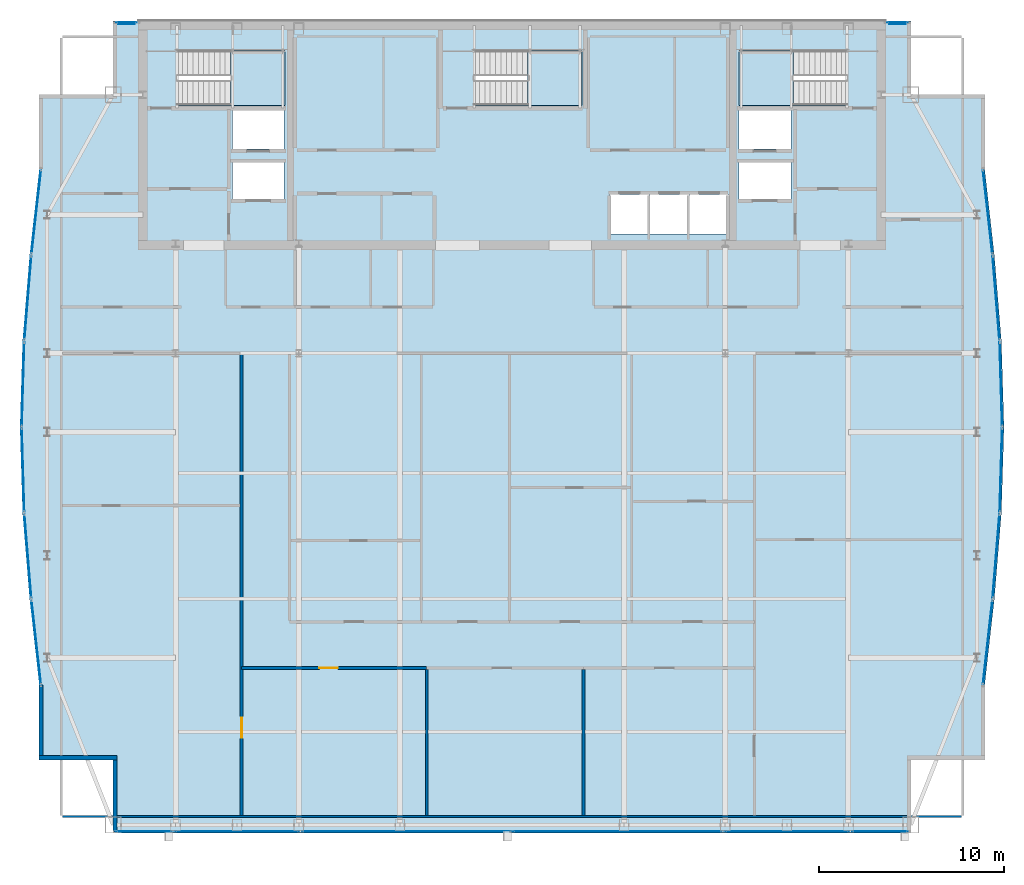
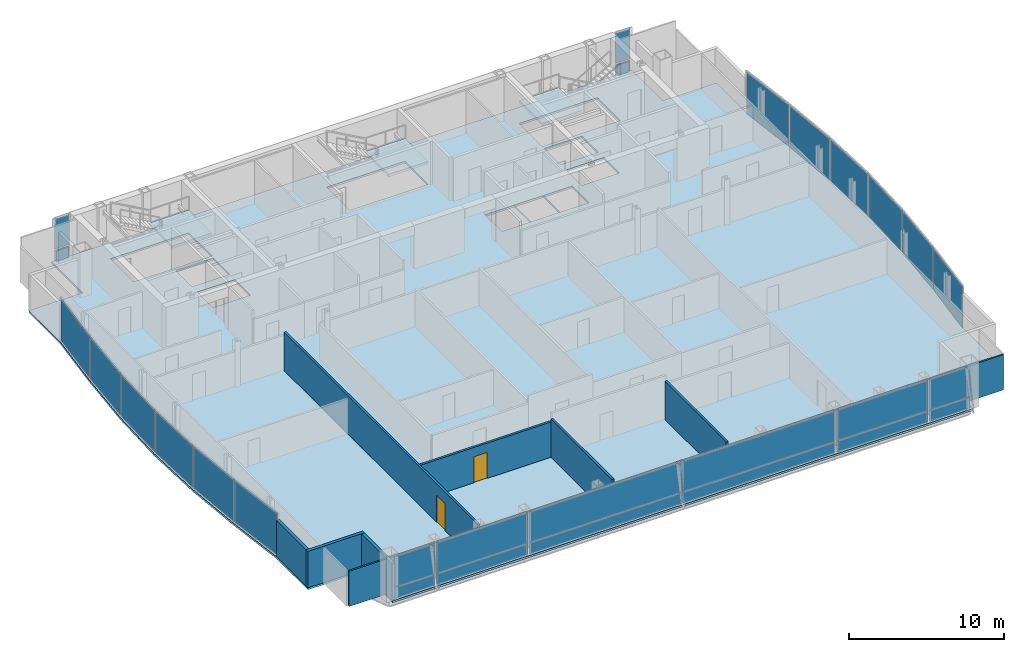
# One storey, part 19 of 25: 30 plates, 8 walls, 4 slabs, 2 doors, 2 openings, 22 elements without a shape of their own.
"""IFC4 building model written with IfcOpenShell, lengths in metres."""

import ifcopenshell
import ifcopenshell.guid

model = None  # the IFC model being written
_history = None  # IfcOwnerHistory: only IFC2X3 demands one
_inside = {}  # id of a spatial element -> (the spatial element, [elements in it])
_under = {}  # id of a project, library or spatial element -> (it, [spatial elements below it])
_declared = {}  # id of a project -> (the project, [libraries it declares])
_typed = {}  # id of a type object -> (the type object, [elements of that type])
_made_of = {}  # id of a material, layer set ... -> (it, [elements and type objects made of it])


def new_model(schema):
    """Start an empty IFC model of exactly this schema.

    Asked for "IFC4X3", IfcOpenShell would pick the latest addendum, in which some entities
    have other attributes; the version numbers below select the first issue.
    IFC2X3 requires an IfcOwnerHistory on every rooted entity: one is made here for all.
    """
    global model, _history
    if schema == "IFC4X3":
        model = ifcopenshell.file(schema_version=(4, 3, 0, 0))
    else:
        model = ifcopenshell.file(schema=schema)
    _inside.clear()
    _under.clear()
    _declared.clear()
    _typed.clear()
    _made_of.clear()
    _history = None
    if model.schema == "IFC2X3":
        org = make("IfcOrganization", Name="unknown")
        user = make(
            "IfcPersonAndOrganization",
            ThePerson=make("IfcPerson", FamilyName="unknown"),
            TheOrganization=org,
        )
        app = make(
            "IfcApplication",
            ApplicationDeveloper=org,
            Version="unknown",
            ApplicationFullName="unknown",
            ApplicationIdentifier="unknown",
        )
        _history = make(
            "IfcOwnerHistory",
            OwningUser=user,
            OwningApplication=app,
            ChangeAction="ADDED",
            CreationDate=0,
        )
    return model


def make(cls, **values):
    """One entity of the class cls with the attributes given. An attribute that is None is left unset."""
    return model.create_entity(
        cls, **{name: value for name, value in values.items() if value is not None}
    )


def rooted(cls, **values):
    """An entity with a GlobalId (a new one), such as an element, a storey or a relation."""
    return make(cls, GlobalId=ifcopenshell.guid.new(), OwnerHistory=_history, **values)


def si_unit(unit_type, name, prefix=None):
    """IfcSIUnit, for example si_unit("LENGTHUNIT", "METRE", prefix="MILLI")."""
    return make("IfcSIUnit", UnitType=unit_type, Prefix=prefix, Name=name)


def assignment(units):
    """IfcUnitAssignment: the units of a project."""
    return None if units is None else make("IfcUnitAssignment", Units=units)


def point(xyz):
    """IfcCartesianPoint."""
    return None if xyz is None else make("IfcCartesianPoint", Coordinates=xyz)


def direction(xyz):
    """IfcDirection."""
    return None if xyz is None else make("IfcDirection", DirectionRatios=xyz)


def frame(location, z_axis=None, x_axis=None):
    """IfcAxis2Placement3D, a coordinate frame: its origin and axes. An axis left out is left unset."""
    return make(
        "IfcAxis2Placement3D",
        Location=point(location),
        Axis=direction(z_axis),
        RefDirection=direction(x_axis),
    )


def frame_2d(location, x_axis=None):
    """IfcAxis2Placement2D, a coordinate frame in the plane: its origin and x axis."""
    return make(
        "IfcAxis2Placement2D", Location=point(location), RefDirection=direction(x_axis)
    )


def origin():
    """The frame at (0, 0, 0) with its axes left unset."""
    return frame((0.0, 0.0, 0.0))


def origin_2d():
    """The frame at (0, 0) in the plane with its x axis left unset."""
    return frame_2d((0.0, 0.0))


def place(relative_to, where):
    """IfcLocalPlacement: puts the frame where relative to a parent placement (None: the world)."""
    return make(
        "IfcLocalPlacement", PlacementRelTo=relative_to, RelativePlacement=where
    )


def context(
    kind, dimensions, precision=None, world=None, true_north=None, identifier=None
):
    """IfcGeometricRepresentationContext, for example the 3D "Model" context."""
    return make(
        "IfcGeometricRepresentationContext",
        ContextIdentifier=identifier,
        ContextType=kind,
        CoordinateSpaceDimension=dimensions,
        Precision=precision,
        WorldCoordinateSystem=world,
        TrueNorth=true_north,
    )


def subcontext(parent, identifier, kind, view, scale=None):
    """IfcGeometricRepresentationSubContext, for example "Body" below "Model"."""
    return make(
        "IfcGeometricRepresentationSubContext",
        ContextIdentifier=identifier,
        ContextType=kind,
        ParentContext=parent,
        TargetScale=scale,
        TargetView=view,
    )


def project(units=None, contexts=None):
    """IfcProject with its units and contexts."""
    return rooted(
        "IfcProject",
        Name="project",
        RepresentationContexts=contexts,
        UnitsInContext=assignment(units),
    )


def spatial(cls, under=None, at=None, **own):
    """A site, building, storey or space (cls), placed at a placement, below another one or the project."""
    s = rooted(cls, ObjectPlacement=at, **own)
    if under is not None:
        _under.setdefault(under.id(), (under, []))[1].append(s)
    return s


def polyline(points):
    """IfcPolyline through the points."""
    return make("IfcPolyline", Points=[point(p) for p in points])


def profile(cls, at=None, kind="AREA", **sizes):
    """A parametric profile (cls). Its sizes go by their IFC names, for example OverallWidth=200.0."""
    return make(cls, ProfileType=kind, Position=at, **sizes)


def rectangle(**sizes):
    """IfcRectangleProfileDef."""
    return profile("IfcRectangleProfileDef", **sizes)


def outline(outer, holes=None, kind="AREA"):
    """IfcArbitraryClosedProfileDef: a profile drawn as a closed curve; with holes, ...WithVoids."""
    if holes is None:
        return make("IfcArbitraryClosedProfileDef", ProfileType=kind, OuterCurve=outer)
    return make(
        "IfcArbitraryProfileDefWithVoids",
        ProfileType=kind,
        OuterCurve=outer,
        InnerCurves=holes,
    )


def extrude(swept, where, along, depth):
    """IfcExtrudedAreaSolid: the profile swept, set in the frame where, extruded along a direction by depth."""
    return make(
        "IfcExtrudedAreaSolid",
        SweptArea=swept,
        Position=where,
        ExtrudedDirection=direction(along),
        Depth=depth,
    )


def shape(context_of_items, identifier, shape_type, items):
    """IfcShapeRepresentation: the items that make up one representation, for example the "Body"."""
    return make(
        "IfcShapeRepresentation",
        ContextOfItems=context_of_items,
        RepresentationIdentifier=identifier,
        RepresentationType=shape_type,
        Items=items,
    )


def material(Name=None, Category=None):
    """IfcMaterial."""
    return make("IfcMaterial", Name=Name, Category=Category)


def layer(
    of_material, thickness, ventilated=None, Name=None, Category=None, Priority=None
):
    """IfcMaterialLayer: one layer of a wall or slab, of a material (None: an air gap)."""
    return make(
        "IfcMaterialLayer",
        Material=of_material,
        LayerThickness=thickness,
        IsVentilated=ventilated,
        Name=Name,
        Category=Category,
        Priority=Priority,
    )


def layer_set(layers, Name=None):
    """IfcMaterialLayerSet."""
    return make("IfcMaterialLayerSet", MaterialLayers=layers, LayerSetName=Name)


def made_of(thing, what):
    """Note that an element or type object is made of a material, layer set ...; save() writes the relation."""
    if what is not None:
        _made_of.setdefault(what.id(), (what, []))[1].append(thing)
    return thing


def type_object(cls, material=None, **own):
    """A type object (cls), such as IfcWallType, which elements share."""
    return made_of(rooted(cls, **own), material)


def element(
    cls,
    number,
    at=None,
    inside=None,
    cuts=None,
    type_object=None,
    material=None,
    context=None,
    identifier="Body",
    shape_type=None,
    held_by="IfcProductDefinitionShape",
    body=None,
    shapes=None,
    **own,
):
    """One element of the class cls, such as IfcWall. Its Tag is "e" and its number.

    at: its placement. inside: the storey or other place that contains it. cuts: it is an
    opening in that element (IfcRelVoidsElement). A single representation is given by context,
    identifier, shape_type and body (its items); several are given by shapes. held_by: the class
    of the entity that holds the representations. save() writes the other relations.
    """
    e = rooted(cls, Tag="e%d" % number, ObjectPlacement=at, **own)
    if body is not None:
        shapes = [shape(context, identifier, shape_type, body)]
    if shapes is not None:
        e.Representation = make(held_by, Representations=shapes)
    if inside is not None:
        _inside.setdefault(inside.id(), (inside, []))[1].append(e)
    if cuts is not None:
        rooted(
            "IfcRelVoidsElement", RelatingBuildingElement=cuts, RelatedOpeningElement=e
        )
    if type_object is not None:
        _typed.setdefault(type_object.id(), (type_object, []))[1].append(e)
    return made_of(e, material)


def fill(opening, filler):
    """IfcRelFillsElement: the door or window that sits in an opening."""
    return rooted(
        "IfcRelFillsElement",
        RelatingOpeningElement=opening,
        RelatedBuildingElement=filler,
    )


def aggregate(whole, parts):
    """IfcRelAggregates: a whole, such as a stair, and the parts it consists of."""
    return rooted("IfcRelAggregates", RelatingObject=whole, RelatedObjects=parts)


def save(model, path):
    """Write the relations noted so far, then the file.

    IfcRelAggregates (storeys below a building ...), IfcRelContainedInSpatialStructure (elements
    in a storey), IfcRelDefinesByType, IfcRelAssociatesMaterial and IfcRelDeclares: one each for
    every whole, place, type object, material and project.
    """
    for whole, parts in _under.values():
        aggregate(whole, parts)
    for where, things in _inside.values():
        rooted(
            "IfcRelContainedInSpatialStructure",
            RelatedElements=things,
            RelatingStructure=where,
        )
    for kind, things in _typed.values():
        rooted("IfcRelDefinesByType", RelatedObjects=things, RelatingType=kind)
    for what, things in _made_of.values():
        rooted("IfcRelAssociatesMaterial", RelatedObjects=things, RelatingMaterial=what)
    for by, libraries in _declared.values():
        rooted("IfcRelDeclares", RelatingContext=by, RelatedDefinitions=libraries)
    model.write(path)


model = new_model("IFC4")

# Units and contexts
model_context = context("Model", 3, precision=1e-05, world=origin(), true_north=direction((0.0, 1.0)))
body_context = subcontext(model_context, "Body", "Model", "MODEL_VIEW")
ifc_project = project(units=[si_unit("LENGTHUNIT", "METRE"), si_unit("AREAUNIT", "SQUARE_METRE"), si_unit("VOLUMEUNIT", "CUBIC_METRE"), si_unit("PLANEANGLEUNIT", "RADIAN"), si_unit("MASSUNIT", "GRAM", prefix="KILO")], contexts=[model_context])

# Site, building, storey
site_placement = place(None, origin())
site = spatial("IfcSite", under=ifc_project, at=site_placement, CompositionType="ELEMENT")
building_placement = place(site_placement, origin())
building = spatial("IfcBuilding", under=site, at=building_placement, Name="Khoronbel Lancet Exchange", CompositionType="ELEMENT")
storey_placement = place(building_placement, frame((0.0, 0.0, 295.0)))
storey = spatial("IfcBuildingStorey", under=building, at=storey_placement, Name="L76", CompositionType="ELEMENT", Elevation=295.0)

# Curtain wall, plate
ifc_material_1 = material(Name="Low-E Solar Control Insulating Glass", Category="glass")
curtain_wall_type_1 = type_object("IfcCurtainWallType", Name="CW-4", PredefinedType="NOTDEFINED", material=ifc_material_1)
curtain_wall_1_placement = place(storey_placement, origin())
curtain_wall_1 = element("IfcCurtainWall", 1, at=curtain_wall_1_placement, inside=storey, type_object=curtain_wall_type_1, Name="Unitised curtain wall CW-L76-E05", PredefinedType="NOTDEFINED")
ifc_material_2 = material(Name="Bronze-Anodised Aluminium 6063-T6", Category="aluminium")
ifc_layer_1 = layer(ifc_material_2, 0.050048828125, Name="Bronze-Anodised Aluminium 6063-T6")
ifc_layer_set_1 = layer_set([ifc_layer_1], Name="Bronze-Anodised Aluminium 6063-T6")
plate_type_1 = type_object("IfcPlateType", Name="PLT-CSP1", PredefinedType="SHEET", material=ifc_layer_set_1)
plate_1_placement = place(storey_placement, frame((10.22265625, 24.706787109375, 0.0849609375), z_axis=(0.0, 0.0, 1.0), x_axis=(-0.082072596992, 0.996626353667, 0.0)))
plate_1 = element("IfcPlate", 2, at=plate_1_placement, type_object=plate_type_1, Name="CW4 panel 1.1", PredefinedType="CURTAIN_PANEL", context=body_context, shape_type="SweptSolid", body=[
    extrude(rectangle(XDim=4.52880859375, YDim=0.0380859375, at=origin_2d()), origin(), (0.0, 0.0, 1.0), 3.27001953125),
])
aggregate(curtain_wall_1, [plate_1])

curtain_wall_2_placement = place(storey_placement, origin())
curtain_wall_2 = element("IfcCurtainWall", 3, at=curtain_wall_2_placement, inside=storey, type_object=curtain_wall_type_1, Name="Unitised curtain wall CW-L76-E06", PredefinedType="NOTDEFINED")
plate_2_placement = place(storey_placement, frame((9.960205078125, 29.369140625, 0.0849609375), z_axis=(0.0, 0.0, 1.0), x_axis=(-0.030147608411, 0.999545457549, 0.0)))
plate_2 = element("IfcPlate", 4, at=plate_2_placement, type_object=plate_type_1, Name="CW4 panel 1.1", PredefinedType="CURTAIN_PANEL", context=body_context, shape_type="SweptSolid", body=[
    extrude(rectangle(XDim=4.513671875, YDim=0.0380859375, at=origin_2d()), origin(), (0.0, 0.0, 1.0), 3.27001953125),
])
aggregate(curtain_wall_2, [plate_2])

curtain_wall_3_placement = place(storey_placement, origin())
curtain_wall_3 = element("IfcCurtainWall", 5, at=curtain_wall_3_placement, inside=storey, type_object=curtain_wall_type_1, Name="Unitised curtain wall CW-L76-E07", PredefinedType="NOTDEFINED")
plate_3_placement = place(storey_placement, frame((9.960205078125, 34.03076171875, 0.0849609375), z_axis=(0.0, 0.0, 1.0), x_axis=(0.030147608411, 0.999545457549, 0.0)))
plate_3 = element("IfcPlate", 6, at=plate_3_placement, type_object=plate_type_1, Name="CW4 panel 1.1", PredefinedType="CURTAIN_PANEL", context=body_context, shape_type="SweptSolid", body=[
    extrude(rectangle(XDim=4.513671875, YDim=0.0380859375, at=origin_2d()), origin(), (0.0, 0.0, 1.0), 3.27001953125),
])
aggregate(curtain_wall_3, [plate_3])

curtain_wall_4_placement = place(storey_placement, origin())
curtain_wall_4 = element("IfcCurtainWall", 7, at=curtain_wall_4_placement, inside=storey, type_object=curtain_wall_type_1, Name="Unitised curtain wall CW-L76-E08", PredefinedType="NOTDEFINED")
plate_4_placement = place(storey_placement, frame((10.22265625, 38.693115234375, 0.0849609375), z_axis=(0.0, 0.0, 1.0), x_axis=(0.082072596992, 0.996626353667, 0.0)))
plate_4 = element("IfcPlate", 8, at=plate_4_placement, type_object=plate_type_1, Name="CW4 panel 1.1", PredefinedType="CURTAIN_PANEL", context=body_context, shape_type="SweptSolid", body=[
    extrude(rectangle(XDim=4.52880859375, YDim=0.0380859375, at=origin_2d()), origin(), (0.0, 0.0, 1.0), 3.27001953125),
])
aggregate(curtain_wall_4, [plate_4])

curtain_wall_type_2 = type_object("IfcCurtainWallType", Name="CW-3", PredefinedType="NOTDEFINED", material=ifc_material_1)
curtain_wall_5_placement = place(storey_placement, origin())
curtain_wall_5 = element("IfcCurtainWall", 9, at=curtain_wall_5_placement, inside=storey, type_object=curtain_wall_type_2, Name="Unitised curtain wall CW-L76-NWFLK", PredefinedType="NOTDEFINED")
plate_5_placement = place(storey_placement, frame((15.580078125, 53.550048828125, 0.0498046875), z_axis=(0.0, 0.0, 1.0), x_axis=(-1.0, 0.0, 0.0)))
plate_5 = element("IfcPlate", 10, at=plate_5_placement, type_object=plate_type_1, Name="Insulated bronze spandrel cassette CW-L76-NWFLK", PredefinedType="SHEET", context=body_context, shape_type="SweptSolid", body=[
    extrude(rectangle(XDim=0.89599609375, YDim=0.050048828125, at=origin_2d()), origin(), (0.0, 0.0, 1.0), 0.800048828125),
])

curtain_wall_6_placement = place(storey_placement, origin())
curtain_wall_6 = element("IfcCurtainWall", 11, at=curtain_wall_6_placement, inside=storey, type_object=curtain_wall_type_2, Name="Unitised curtain wall CW-L76-NEFLK", PredefinedType="NOTDEFINED")
plate_6_placement = place(storey_placement, frame((57.320068359375, 53.550048828125, 0.0498046875), z_axis=(0.0, 0.0, 1.0), x_axis=(-1.0, 0.0, 0.0)))
plate_6 = element("IfcPlate", 12, at=plate_6_placement, type_object=plate_type_1, Name="Insulated bronze spandrel cassette CW-L76-NEFLK", PredefinedType="SHEET", context=body_context, shape_type="SweptSolid", body=[
    extrude(rectangle(XDim=0.89599609375, YDim=0.050048828125, at=origin_2d()), origin(), (0.0, 0.0, 1.0), 0.800048828125),
])

curtain_wall_7_placement = place(storey_placement, origin())
curtain_wall_7 = element("IfcCurtainWall", 13, at=curtain_wall_7_placement, inside=storey, type_object=curtain_wall_type_1, Name="Unitised curtain wall CW-L76-E18", PredefinedType="NOTDEFINED")
plate_7_placement = place(storey_placement, frame((62.677490234375, 38.693115234375, 0.0849609375), z_axis=(0.0, 0.0, 1.0), x_axis=(0.082072596992, -0.996626353667, 0.0)))
plate_7 = element("IfcPlate", 14, at=plate_7_placement, type_object=plate_type_1, Name="CW4 panel 1.1", PredefinedType="CURTAIN_PANEL", context=body_context, shape_type="SweptSolid", body=[
    extrude(rectangle(XDim=4.52880859375, YDim=0.0380859375, at=origin_2d()), origin(), (0.0, 0.0, 1.0), 3.27001953125),
])
aggregate(curtain_wall_7, [plate_7])

curtain_wall_8_placement = place(storey_placement, origin())
curtain_wall_8 = element("IfcCurtainWall", 15, at=curtain_wall_8_placement, inside=storey, type_object=curtain_wall_type_1, Name="Unitised curtain wall CW-L76-E19", PredefinedType="NOTDEFINED")
plate_8_placement = place(storey_placement, frame((62.939697265625, 34.03076171875, 0.0849609375), z_axis=(0.0, 0.0, 1.0), x_axis=(0.030147608411, -0.999545457549, 0.0)))
plate_8 = element("IfcPlate", 16, at=plate_8_placement, type_object=plate_type_1, Name="CW4 panel 1.1", PredefinedType="CURTAIN_PANEL", context=body_context, shape_type="SweptSolid", body=[
    extrude(rectangle(XDim=4.513671875, YDim=0.0380859375, at=origin_2d()), origin(), (0.0, 0.0, 1.0), 3.27001953125),
])
aggregate(curtain_wall_8, [plate_8])

curtain_wall_9_placement = place(storey_placement, origin())
curtain_wall_9 = element("IfcCurtainWall", 17, at=curtain_wall_9_placement, inside=storey, type_object=curtain_wall_type_1, Name="Unitised curtain wall CW-L76-E20", PredefinedType="NOTDEFINED")
plate_9_placement = place(storey_placement, frame((62.939697265625, 29.369140625, 0.0849609375), z_axis=(0.0, 0.0, 1.0), x_axis=(-0.030147608411, -0.999545457549, 0.0)))
plate_9 = element("IfcPlate", 18, at=plate_9_placement, type_object=plate_type_1, Name="CW4 panel 1.1", PredefinedType="CURTAIN_PANEL", context=body_context, shape_type="SweptSolid", body=[
    extrude(rectangle(XDim=4.513671875, YDim=0.0380859375, at=origin_2d()), origin(), (0.0, 0.0, 1.0), 3.27001953125),
])
aggregate(curtain_wall_9, [plate_9])

curtain_wall_10_placement = place(storey_placement, origin())
curtain_wall_10 = element("IfcCurtainWall", 19, at=curtain_wall_10_placement, inside=storey, type_object=curtain_wall_type_1, Name="Unitised curtain wall CW-L76-E21", PredefinedType="NOTDEFINED")
plate_10_placement = place(storey_placement, frame((62.677490234375, 24.706787109375, 0.0849609375), z_axis=(0.0, 0.0, 1.0), x_axis=(-0.082072596992, -0.996626353667, 0.0)))
plate_10 = element("IfcPlate", 20, at=plate_10_placement, type_object=plate_type_1, Name="CW4 panel 1.1", PredefinedType="CURTAIN_PANEL", context=body_context, shape_type="SweptSolid", body=[
    extrude(rectangle(XDim=4.52880859375, YDim=0.0380859375, at=origin_2d()), origin(), (0.0, 0.0, 1.0), 3.27001953125),
])
aggregate(curtain_wall_10, [plate_10])

# Curtain wall, plates
curtain_wall_11_placement = place(storey_placement, origin())
curtain_wall_11 = element("IfcCurtainWall", 21, at=curtain_wall_11_placement, inside=storey, type_object=curtain_wall_type_2, Name="Unitised curtain wall CW-L76-SWB", PredefinedType="NOTDEFINED")
plate_11_placement = place(storey_placement, frame((21.550048828125, 9.7900390625, 0.0849609375), z_axis=(0.0, 0.0, 1.0), x_axis=(1.0, 0.0, 0.0)))
plate_11 = element("IfcPlate", 22, at=plate_11_placement, type_object=plate_type_1, Name="CW3 panel 1.1", PredefinedType="CURTAIN_PANEL", context=body_context, shape_type="SweptSolid", body=[
    extrude(rectangle(XDim=6.72998046875, YDim=0.0380859375, at=origin_2d()), origin(), (0.0, 0.0, 1.0), 0.822509765625),
])
plate_12_placement = place(storey_placement, frame((21.550048828125, 9.7900390625, 0.99267578125), z_axis=(0.0, 0.0, 1.0), x_axis=(1.0, 0.0, 0.0)))
plate_12 = element("IfcPlate", 23, at=plate_12_placement, type_object=plate_type_1, Name="CW3 panel 1.2", PredefinedType="CURTAIN_PANEL", context=body_context, shape_type="SweptSolid", body=[
    extrude(rectangle(XDim=6.72998046875, YDim=0.0380859375, at=origin_2d()), origin(), (0.0, 0.0, 1.0), 2.362548828125),
])
aggregate(curtain_wall_11, [plate_11, plate_12])

curtain_wall_12_placement = place(storey_placement, origin())
curtain_wall_12 = element("IfcCurtainWall", 24, at=curtain_wall_12_placement, inside=storey, type_object=curtain_wall_type_2, Name="Unitised curtain wall CW-L76-SEB", PredefinedType="NOTDEFINED")
plate_13_placement = place(storey_placement, frame((51.35009765625, 9.7900390625, 0.0849609375), z_axis=(0.0, 0.0, 1.0), x_axis=(1.0, 0.0, 0.0)))
plate_13 = element("IfcPlate", 25, at=plate_13_placement, type_object=plate_type_1, Name="CW3 panel 1.1", PredefinedType="CURTAIN_PANEL", context=body_context, shape_type="SweptSolid", body=[
    extrude(rectangle(XDim=6.72998046875, YDim=0.0380859375, at=origin_2d()), origin(), (0.0, 0.0, 1.0), 0.822509765625),
])
plate_14_placement = place(storey_placement, frame((51.35009765625, 9.7900390625, 0.99267578125), z_axis=(0.0, 0.0, 1.0), x_axis=(1.0, 0.0, 0.0)))
plate_14 = element("IfcPlate", 26, at=plate_14_placement, type_object=plate_type_1, Name="CW3 panel 1.2", PredefinedType="CURTAIN_PANEL", context=body_context, shape_type="SweptSolid", body=[
    extrude(rectangle(XDim=6.72998046875, YDim=0.0380859375, at=origin_2d()), origin(), (0.0, 0.0, 1.0), 2.362548828125),
])
aggregate(curtain_wall_12, [plate_13, plate_14])

# Plate
ifc_layer_2 = layer(ifc_material_1, 0.035888671875, Name="Low-E Solar Control Insulating Glass")
ifc_layer_set_2 = layer_set([ifc_layer_2], Name="Low-E Solar Control Insulating Glass")
plate_type_2 = type_object("IfcPlateType", Name="PLT-CWP1", PredefinedType="CURTAIN_PANEL", material=ifc_layer_set_2)
plate_15_placement = place(storey_placement, frame((15.580078125, 53.610107421875, 0.0849609375), z_axis=(0.0, 0.0, 1.0), x_axis=(-1.0, 0.0, 0.0)))
plate_15 = element("IfcPlate", 27, at=plate_15_placement, type_object=plate_type_2, Name="CW3 panel 1.1", PredefinedType="CURTAIN_PANEL", context=body_context, shape_type="SweptSolid", body=[
    extrude(rectangle(XDim=1.110107421875, YDim=0.0380859375, at=origin_2d()), origin(), (0.0, 0.0, 1.0), 0.822509765625),
])

plate_16_placement = place(storey_placement, frame((15.580078125, 53.610107421875, 0.99267578125), z_axis=(0.0, 0.0, 1.0), x_axis=(-1.0, 0.0, 0.0)))
plate_16 = element("IfcPlate", 28, at=plate_16_placement, type_object=plate_type_2, Name="CW3 panel 1.2", PredefinedType="CURTAIN_PANEL", context=body_context, shape_type="SweptSolid", body=[
    extrude(rectangle(XDim=1.110107421875, YDim=0.0380859375, at=origin_2d()), origin(), (0.0, 0.0, 1.0), 2.362548828125),
])

aggregate(curtain_wall_5, [plate_15, plate_16, plate_5])

plate_17_placement = place(storey_placement, frame((57.320068359375, 53.610107421875, 0.0849609375), z_axis=(0.0, 0.0, 1.0), x_axis=(-1.0, 0.0, 0.0)))
plate_17 = element("IfcPlate", 29, at=plate_17_placement, type_object=plate_type_2, Name="CW3 panel 1.1", PredefinedType="CURTAIN_PANEL", context=body_context, shape_type="SweptSolid", body=[
    extrude(rectangle(XDim=1.110107421875, YDim=0.0380859375, at=origin_2d()), origin(), (0.0, 0.0, 1.0), 0.822509765625),
])

plate_18_placement = place(storey_placement, frame((57.320068359375, 53.610107421875, 0.99267578125), z_axis=(0.0, 0.0, 1.0), x_axis=(-1.0, 0.0, 0.0)))
plate_18 = element("IfcPlate", 30, at=plate_18_placement, type_object=plate_type_2, Name="CW3 panel 1.2", PredefinedType="CURTAIN_PANEL", context=body_context, shape_type="SweptSolid", body=[
    extrude(rectangle(XDim=1.110107421875, YDim=0.0380859375, at=origin_2d()), origin(), (0.0, 0.0, 1.0), 2.362548828125),
])

aggregate(curtain_wall_6, [plate_17, plate_18, plate_6])

# Curtain wall, plates
curtain_wall_13_placement = place(storey_placement, origin())
curtain_wall_13 = element("IfcCurtainWall", 31, at=curtain_wall_13_placement, inside=storey, type_object=curtain_wall_type_2, Name="Unitised curtain wall CW-L76-SWV", PredefinedType="NOTDEFINED")
plate_19_placement = place(storey_placement, frame((16.52001953125, 9.7900390625, 0.0849609375), z_axis=(0.0, 0.0, 1.0), x_axis=(1.0, 0.0, 0.0)))
plate_19 = element("IfcPlate", 32, at=plate_19_placement, type_object=plate_type_2, Name="CW3 panel 1.1", PredefinedType="CURTAIN_PANEL", context=body_context, shape_type="SweptSolid", body=[
    extrude(rectangle(XDim=2.989990234375, YDim=0.0380859375, at=origin_2d()), origin(), (0.0, 0.0, 1.0), 0.822509765625),
])
plate_20_placement = place(storey_placement, frame((16.52001953125, 9.7900390625, 0.99267578125), z_axis=(0.0, 0.0, 1.0), x_axis=(1.0, 0.0, 0.0)))
plate_20 = element("IfcPlate", 33, at=plate_20_placement, type_object=plate_type_2, Name="CW3 panel 1.2", PredefinedType="CURTAIN_PANEL", context=body_context, shape_type="SweptSolid", body=[
    extrude(rectangle(XDim=2.989990234375, YDim=0.0380859375, at=origin_2d()), origin(), (0.0, 0.0, 1.0), 2.362548828125),
])
aggregate(curtain_wall_13, [plate_19, plate_20])

curtain_wall_14_placement = place(storey_placement, origin())
curtain_wall_14 = element("IfcCurtainWall", 34, at=curtain_wall_14_placement, inside=storey, type_object=curtain_wall_type_2, Name="Unitised curtain wall CW-L76-SCV", PredefinedType="NOTDEFINED")
plate_21_placement = place(storey_placement, frame((30.746337890625, 9.7900390625, 0.0849609375), z_axis=(0.0, 0.0, 1.0), x_axis=(1.0, 0.0, 0.0)))
plate_21 = element("IfcPlate", 35, at=plate_21_placement, type_object=plate_type_2, Name="CW3 panel 1.1", PredefinedType="CURTAIN_PANEL", context=body_context, shape_type="SweptSolid", body=[
    extrude(rectangle(XDim=11.322509765625, YDim=0.0380859375, at=origin_2d()), origin(), (0.0, 0.0, 1.0), 0.822509765625),
])
plate_22_placement = place(storey_placement, frame((30.746337890625, 9.7900390625, 0.99267578125), z_axis=(0.0, 0.0, 1.0), x_axis=(1.0, 0.0, 0.0)))
plate_22 = element("IfcPlate", 36, at=plate_22_placement, type_object=plate_type_2, Name="CW3 panel 1.2", PredefinedType="CURTAIN_PANEL", context=body_context, shape_type="SweptSolid", body=[
    extrude(rectangle(XDim=11.322509765625, YDim=0.0380859375, at=origin_2d()), origin(), (0.0, 0.0, 1.0), 2.362548828125),
])
plate_23_placement = place(storey_placement, frame((42.15380859375, 9.7900390625, 0.0849609375), z_axis=(0.0, 0.0, 1.0), x_axis=(1.0, 0.0, 0.0)))
plate_23 = element("IfcPlate", 37, at=plate_23_placement, type_object=plate_type_2, Name="CW3 panel 2.1", PredefinedType="CURTAIN_PANEL", context=body_context, shape_type="SweptSolid", body=[
    extrude(rectangle(XDim=11.322509765625, YDim=0.0380859375, at=origin_2d()), origin(), (0.0, 0.0, 1.0), 0.822509765625),
])
plate_24_placement = place(storey_placement, frame((42.15380859375, 9.7900390625, 0.99267578125), z_axis=(0.0, 0.0, 1.0), x_axis=(1.0, 0.0, 0.0)))
plate_24 = element("IfcPlate", 38, at=plate_24_placement, type_object=plate_type_2, Name="CW3 panel 2.2", PredefinedType="CURTAIN_PANEL", context=body_context, shape_type="SweptSolid", body=[
    extrude(rectangle(XDim=11.322509765625, YDim=0.0380859375, at=origin_2d()), origin(), (0.0, 0.0, 1.0), 2.362548828125),
])
aggregate(curtain_wall_14, [plate_21, plate_22, plate_23, plate_24])

curtain_wall_15_placement = place(storey_placement, origin())
curtain_wall_15 = element("IfcCurtainWall", 39, at=curtain_wall_15_placement, inside=storey, type_object=curtain_wall_type_2, Name="Unitised curtain wall CW-L76-SEV", PredefinedType="NOTDEFINED")
plate_25_placement = place(storey_placement, frame((56.3798828125, 9.7900390625, 0.0849609375), z_axis=(0.0, 0.0, 1.0), x_axis=(1.0, 0.0, 0.0)))
plate_25 = element("IfcPlate", 40, at=plate_25_placement, type_object=plate_type_2, Name="CW3 panel 1.1", PredefinedType="CURTAIN_PANEL", context=body_context, shape_type="SweptSolid", body=[
    extrude(rectangle(XDim=2.989990234375, YDim=0.0380859375, at=origin_2d()), origin(), (0.0, 0.0, 1.0), 0.822509765625),
])
plate_26_placement = place(storey_placement, frame((56.3798828125, 9.7900390625, 0.99267578125), z_axis=(0.0, 0.0, 1.0), x_axis=(1.0, 0.0, 0.0)))
plate_26 = element("IfcPlate", 41, at=plate_26_placement, type_object=plate_type_2, Name="CW3 panel 1.2", PredefinedType="CURTAIN_PANEL", context=body_context, shape_type="SweptSolid", body=[
    extrude(rectangle(XDim=2.989990234375, YDim=0.0380859375, at=origin_2d()), origin(), (0.0, 0.0, 1.0), 2.362548828125),
])
aggregate(curtain_wall_15, [plate_25, plate_26])

# Curtain wall, plate
curtain_wall_16_placement = place(storey_placement, origin())
curtain_wall_16 = element("IfcCurtainWall", 42, at=curtain_wall_16_placement, inside=storey, type_object=curtain_wall_type_1, Name="Unitised curtain wall CW-L76-E04", PredefinedType="NOTDEFINED")
ifc_material_3 = material(Name="Ceramic-Fritted Laminated Insulating Glass", Category="glass")
ifc_layer_3 = layer(ifc_material_3, 0.0419921875, Name="Ceramic-Fritted Laminated Insulating Glass")
ifc_layer_set_3 = layer_set([ifc_layer_3], Name="Ceramic-Fritted Laminated Insulating Glass")
plate_type_3 = type_object("IfcPlateType", Name="PLT-CWP2", PredefinedType="CURTAIN_PANEL", material=ifc_layer_set_3)
plate_27_placement = place(storey_placement, frame((10.67724609375, 20.040283203125, 0.0849609375), z_axis=(0.0, 0.0, 1.0), x_axis=(-0.111790570813, 0.993731788903, 0.0)))
plate_27 = element("IfcPlate", 43, at=plate_27_placement, type_object=plate_type_3, Name="CW4 panel 1.1", PredefinedType="CURTAIN_PANEL", context=body_context, shape_type="SweptSolid", body=[
    extrude(rectangle(XDim=4.5498046875, YDim=0.0380859375, at=origin_2d()), origin(), (0.0, 0.0, 1.0), 3.27001953125),
])
aggregate(curtain_wall_16, [plate_27])

curtain_wall_17_placement = place(storey_placement, origin())
curtain_wall_17 = element("IfcCurtainWall", 44, at=curtain_wall_17_placement, inside=storey, type_object=curtain_wall_type_1, Name="Unitised curtain wall CW-L76-E09", PredefinedType="NOTDEFINED")
plate_28_placement = place(storey_placement, frame((10.67724609375, 43.35986328125, 0.0849609375), z_axis=(0.0, 0.0, 1.0), x_axis=(0.111790570813, 0.993731788903, 0.0)))
plate_28 = element("IfcPlate", 45, at=plate_28_placement, type_object=plate_type_3, Name="CW4 panel 1.1", PredefinedType="CURTAIN_PANEL", context=body_context, shape_type="SweptSolid", body=[
    extrude(rectangle(XDim=4.5498046875, YDim=0.0380859375, at=origin_2d()), origin(), (0.0, 0.0, 1.0), 3.27001953125),
])
aggregate(curtain_wall_17, [plate_28])

curtain_wall_18_placement = place(storey_placement, origin())
curtain_wall_18 = element("IfcCurtainWall", 46, at=curtain_wall_18_placement, inside=storey, type_object=curtain_wall_type_1, Name="Unitised curtain wall CW-L76-E17", PredefinedType="NOTDEFINED")
plate_29_placement = place(storey_placement, frame((62.22265625, 43.35986328125, 0.0849609375), z_axis=(0.0, 0.0, 1.0), x_axis=(0.111790570813, -0.993731788903, 0.0)))
plate_29 = element("IfcPlate", 47, at=plate_29_placement, type_object=plate_type_3, Name="CW4 panel 1.1", PredefinedType="CURTAIN_PANEL", context=body_context, shape_type="SweptSolid", body=[
    extrude(rectangle(XDim=4.5498046875, YDim=0.0380859375, at=origin_2d()), origin(), (0.0, 0.0, 1.0), 3.27001953125),
])
aggregate(curtain_wall_18, [plate_29])

curtain_wall_19_placement = place(storey_placement, origin())
curtain_wall_19 = element("IfcCurtainWall", 48, at=curtain_wall_19_placement, inside=storey, type_object=curtain_wall_type_1, Name="Unitised curtain wall CW-L76-E22", PredefinedType="NOTDEFINED")
plate_30_placement = place(storey_placement, frame((62.22265625, 20.040283203125, 0.0849609375), z_axis=(0.0, 0.0, 1.0), x_axis=(-0.111790570813, -0.993731788903, 0.0)))
plate_30 = element("IfcPlate", 49, at=plate_30_placement, type_object=plate_type_3, Name="CW4 panel 1.1", PredefinedType="CURTAIN_PANEL", context=body_context, shape_type="SweptSolid", body=[
    extrude(rectangle(XDim=4.5498046875, YDim=0.0380859375, at=origin_2d()), origin(), (0.0, 0.0, 1.0), 3.27001953125),
])
aggregate(curtain_wall_19, [plate_30])

# Slab
ifc_material_4 = material(Name="Concrete C40/50", Category="concrete")
ifc_layer_4 = layer(ifc_material_4, 0.159912109375, Name="Concrete C40/50")
ifc_layer_set_4 = layer_set([ifc_layer_4], Name="Concrete C40/50")
slab_type_1 = type_object("IfcSlabType", Name="SL-FL160", PredefinedType="FLOOR", material=ifc_layer_set_4)
slab_1_placement = place(storey_placement, frame((0.0, 0.0, -0.159912109375)))
element("IfcSlab", 50, at=slab_1_placement, inside=storey, type_object=slab_type_1, Name="Level L76 composite structural floor slab", PredefinedType="FLOOR", context=body_context, shape_type="SweptSolid", body=[
    extrude(outline(polyline([(14.85009765625, 9.699951171875), (58.050048828125, 9.699951171875), (58.050048828125, 13.699951171875), (62.050048828125, 13.699951171875), (62.050048828125, 17.699951171875), (62.574951171875, 22.36669921875), (62.959228515625, 27.033203125), (63.10009765625, 31.699951171875), (62.959228515625, 36.36669921875), (62.574951171875, 41.033203125), (62.050048828125, 45.699951171875), (62.050048828125, 49.699951171875), (58.050048828125, 49.699951171875), (58.050048828125, 53.699951171875), (14.85009765625, 53.699951171875), (14.85009765625, 49.699951171875), (10.85009765625, 49.699951171875), (10.85009765625, 45.699951171875), (10.324951171875, 41.033203125), (9.940673828125, 36.36669921875), (9.800048828125, 31.699951171875), (9.940673828125, 27.033203125), (10.324951171875, 22.36669921875), (10.85009765625, 17.699951171875), (10.85009765625, 13.699951171875), (14.85009765625, 13.699951171875), (14.85009765625, 9.699951171875)]), holes=[polyline([(18.324951171875, 49.1201171875), (24.14990234375, 49.1201171875), (24.14990234375, 52.10009765625), (18.324951171875, 52.10009765625), (18.324951171875, 49.1201171875)]), polyline([(48.75, 49.1201171875), (54.574951171875, 49.1201171875), (54.574951171875, 52.10009765625), (48.75, 52.10009765625), (48.75, 49.1201171875)]), polyline([(34.425048828125, 49.1201171875), (40.25, 49.1201171875), (40.25, 52.10009765625), (34.425048828125, 52.10009765625), (34.425048828125, 49.1201171875)]), polyline([(41.739990234375, 42.14990234375), (43.8798828125, 42.14990234375), (43.8798828125, 44.300048828125), (41.739990234375, 44.300048828125), (41.739990234375, 42.14990234375)]), polyline([(43.89990234375, 42.14990234375), (46.0400390625, 42.14990234375), (46.0400390625, 44.300048828125), (43.89990234375, 44.300048828125), (43.89990234375, 42.14990234375)]), polyline([(46.06005859375, 42.14990234375), (48.199951171875, 42.14990234375), (48.199951171875, 44.300048828125), (46.06005859375, 44.300048828125), (46.06005859375, 42.14990234375)]), polyline([(21.300048828125, 46.75), (24.10009765625, 46.75), (24.10009765625, 48.85009765625), (21.300048828125, 48.85009765625), (21.300048828125, 46.75)]), polyline([(48.75, 46.75), (51.550048828125, 46.75), (51.550048828125, 48.85009765625), (48.75, 48.85009765625), (48.75, 46.75)]), polyline([(21.300048828125, 44.050048828125), (24.10009765625, 44.050048828125), (24.10009765625, 46.050048828125), (21.300048828125, 46.050048828125), (21.300048828125, 44.050048828125)]), polyline([(48.75, 44.050048828125), (51.550048828125, 44.050048828125), (51.550048828125, 46.050048828125), (48.75, 46.050048828125), (48.75, 44.050048828125)])]), origin(), (0.0, 0.0, 1.0), 0.159912109375),
])

# Stair, slab
stair_type = type_object("IfcStairType", Name="STR-CORE150", PredefinedType="HALF_TURN_STAIR", material=ifc_material_4)
stair_1_placement = place(storey_placement, origin())
stair_1 = element("IfcStair", 51, at=stair_1_placement, inside=storey, type_object=stair_type, Name="L76 Protected Exit Stair ST1", PredefinedType="HALF_TURN_STAIR")
ifc_layer_5 = layer(ifc_material_4, 0.199951171875, Name="Concrete C40/50")
ifc_layer_set_5 = layer_set([ifc_layer_5], Name="Concrete C40/50")
slab_type_2 = type_object("IfcSlabType", Name="SL-LND180", PredefinedType="LANDING", material=ifc_layer_set_5)
slab_2_placement = place(storey_placement, frame((0.0, 0.0, 1.60009765625)))
slab_2 = element("IfcSlab", 52, at=slab_2_placement, type_object=slab_type_2, Name="ST1 landing 1", PredefinedType="LANDING", context=body_context, shape_type="SweptSolid", body=[
    extrude(outline(polyline([(21.199951171875, 49.1201171875), (24.14990234375, 49.1201171875), (24.14990234375, 52.10009765625), (21.199951171875, 52.10009765625), (21.199951171875, 49.1201171875)])), origin(), (0.0, 0.0, 1.0), 0.199951171875),
])
aggregate(stair_1, [slab_2])

stair_2_placement = place(storey_placement, origin())
stair_2 = element("IfcStair", 53, at=stair_2_placement, inside=storey, type_object=stair_type, Name="L76 Protected Exit Stair ST2", PredefinedType="HALF_TURN_STAIR")
slab_3_placement = place(storey_placement, frame((0.0, 0.0, 1.60009765625)))
slab_3 = element("IfcSlab", 54, at=slab_3_placement, type_object=slab_type_2, Name="ST2 landing 1", PredefinedType="LANDING", context=body_context, shape_type="SweptSolid", body=[
    extrude(outline(polyline([(51.699951171875, 52.10009765625), (48.75, 52.10009765625), (48.75, 49.1201171875), (51.699951171875, 49.1201171875), (51.699951171875, 52.10009765625)])), origin(), (0.0, 0.0, 1.0), 0.199951171875),
])
aggregate(stair_2, [slab_3])

stair_3_placement = place(storey_placement, origin())
stair_3 = element("IfcStair", 55, at=stair_3_placement, inside=storey, type_object=stair_type, Name="L76 Protected Exit Stair ST3", PredefinedType="HALF_TURN_STAIR")
slab_4_placement = place(storey_placement, frame((0.0, 0.0, 1.60009765625)))
slab_4 = element("IfcSlab", 56, at=slab_4_placement, type_object=slab_type_2, Name="ST3 landing 1", PredefinedType="LANDING", context=body_context, shape_type="SweptSolid", body=[
    extrude(outline(polyline([(37.300048828125, 49.1201171875), (40.25, 49.1201171875), (40.25, 52.10009765625), (37.300048828125, 52.10009765625), (37.300048828125, 49.1201171875)])), origin(), (0.0, 0.0, 1.0), 0.199951171875),
])
aggregate(stair_3, [slab_4])

# Walls
ifc_material_5 = material(Name="Precast concrete C40/50", Category="concrete")
ifc_layer_6 = layer(ifc_material_5, 0.25, Name="Precast concrete C40/50")
ifc_layer_set_6 = layer_set([ifc_layer_6], Name="Precast concrete C40/50")
wall_type_1 = type_object("IfcWallType", Name="WL-EXT250", PredefinedType="SOLIDWALL", material=ifc_layer_set_6)
wall_1_placement = place(storey_placement, frame((14.93994140625, 9.77001953125, 0.0), z_axis=(0.0, 0.0, 1.0), x_axis=(0.0, 1.0, 0.0)))
element("IfcWall", 57, at=wall_1_placement, inside=storey, type_object=wall_type_1, Name="Level L76 notched-corner limestone pier 01", PredefinedType="SOLIDWALL", context=body_context, shape_type="SweptSolid", body=[
    extrude(rectangle(XDim=3.909912109375, YDim=0.219970703125, at=frame_2d((1.955078125, 0.0))), origin(), (0.0, 0.0, 1.0), 2.8798828125),
])
wall_2_placement = place(storey_placement, frame((15.050048828125, 13.7900390625, 0.0), z_axis=(0.0, 0.0, 1.0), x_axis=(-1.0, 0.0, 0.0)))
element("IfcWall", 58, at=wall_2_placement, inside=storey, type_object=wall_type_1, Name="Level L76 notched-corner limestone pier 02", PredefinedType="SOLIDWALL", context=body_context, shape_type="SweptSolid", body=[
    extrude(rectangle(XDim=4.219970703125, YDim=0.219970703125, at=frame_2d((2.10986328125, 0.0))), origin(), (0.0, 0.0, 1.0), 2.8798828125),
])
wall_3_placement = place(storey_placement, frame((10.93994140625, 13.89990234375, 0.0), z_axis=(0.0, 0.0, 1.0), x_axis=(0.0, 1.0, 0.0)))
element("IfcWall", 59, at=wall_3_placement, inside=storey, type_object=wall_type_1, Name="Level L76 notched-corner limestone pier 03", PredefinedType="SOLIDWALL", context=body_context, shape_type="SweptSolid", body=[
    extrude(rectangle(XDim=3.8251953125, YDim=0.219970703125, at=frame_2d((1.91259765625, 0.0))), origin(), (0.0, 0.0, 1.0), 2.8798828125),
])
ifc_material_6 = material(Name="Acoustic Metal-Stud & Mineral-Wool Gypsum Partition 120 mm", Category="gypsum")
ifc_layer_7 = layer(ifc_material_6, 0.1201171875, Name="Acoustic Metal-Stud & Mineral-Wool Gypsum Partition 120 mm")
ifc_layer_set_7 = layer_set([ifc_layer_7], Name="Acoustic Metal-Stud & Mineral-Wool Gypsum Partition 120 mm")
wall_type_2 = type_object("IfcWallType", Name="WL-PRT120", PredefinedType="PARTITIONING", material=ifc_layer_set_7)
wall_4_placement = place(storey_placement, frame((12.094970703125, 10.60009765625, 0.0), z_axis=(0.0, 0.0, 1.0), x_axis=(1.0, 0.0, 0.0)))
element("IfcWall", 60, at=wall_4_placement, inside=storey, type_object=wall_type_2, Name="Level L76 interior partition PW-LIN-S", PredefinedType="PARTITIONING", context=body_context, shape_type="SweptSolid", body=[
    extrude(rectangle(XDim=48.7099609375, YDim=0.1201171875, at=frame_2d((24.35498046875, 0.0))), origin(), (0.0, 0.0, 1.0), 2.780029296875),
])

# Wall, opening, door
ifc_material_7 = material(Name="Fire-Rated Twin-Stud Acoustic Gypsum Partition 150 mm", Category="gypsum")
ifc_layer_8 = layer(ifc_material_7, 0.14990234375, Name="Fire-Rated Twin-Stud Acoustic Gypsum Partition 150 mm")
ifc_layer_set_8 = layer_set([ifc_layer_8], Name="Fire-Rated Twin-Stud Acoustic Gypsum Partition 150 mm")
wall_type_3 = type_object("IfcWallType", Name="WL-PRT150C", PredefinedType="PARTITIONING", material=ifc_layer_set_8)
wall_5_placement = place(storey_placement, frame((21.800048828125, 10.6650390625, 0.0), z_axis=(0.0, 0.0, 1.0), x_axis=(0.0, 1.0, 0.0)))
wall_5 = element("IfcWall", 61, at=wall_5_placement, inside=storey, type_object=wall_type_3, Name="Level L76 interior partition PW-Z4-WW", PredefinedType="PARTITIONING", context=body_context, shape_type="SweptSolid", body=[
    extrude(rectangle(XDim=24.955078125, YDim=0.14990234375, at=frame_2d((12.4775390625, 0.0))), origin(), (0.0, 0.0, 1.0), 3.030029296875),
])
opening_1_placement = place(wall_5_placement, frame((4.199951171875, 0.0, 0.0)))
opening_1 = element("IfcOpeningElement", 62, at=opening_1_placement, cuts=wall_5, Name="Opening D6", PredefinedType="OPENING", context=body_context, shape_type="SweptSolid", body=[
    extrude(rectangle(XDim=1.10009765625, YDim=2.10009765625, at=frame_2d((0.550048828125, 1.050048828125))), frame((0.0, 0.0849609375, 0.0), z_axis=(0.0, -1.0, 0.0), x_axis=(1.0, 0.0, 0.0)), (0.0, 0.0, 1.0), 0.169921875),
])
ifc_material_8 = material(Name="Acoustic Bronze-Veneer Executive Suite Door", Category="wood")
door_type_1 = type_object("IfcDoorType", Name="DR-D6", OperationType="NOTDEFINED", PredefinedType="DOOR", material=ifc_material_8)
door_1_placement = place(opening_1_placement, origin())
door_1 = element("IfcDoor", 63, at=door_1_placement, inside=storey, type_object=door_type_1, Name="West lens presidential door L76-1", OperationType="SINGLE_SWING_LEFT", OverallHeight=2.10009765625, OverallWidth=1.10009765625, PredefinedType="DOOR", context=body_context, shape_type="SweptSolid", body=[
    extrude(rectangle(XDim=1.10009765625, YDim=2.10009765625, at=frame_2d((0.550048828125, 1.050048828125))), frame((0.0, 0.02490234375, 0.0), z_axis=(0.0, -1.0, 0.0), x_axis=(1.0, 0.0, 0.0)), (0.0, 0.0, 1.0), 0.050048828125),
])
fill(opening_1, door_1)

# Walls
for number, where, z_axis, x_axis, name in (
    (64, (31.831787109375, 10.6650390625, 0.0), (0.0, 0.0, 1.0), (0.0, 1.0, 0.0), "Level L76 interior partition PW-Z4S-V1"),
    (65, (40.320068359375, 10.6650390625, 0.0), (0.0, 0.0, 1.0), (0.0, 1.0, 0.0), "Level L76 interior partition PW-Z4S-V2"),
):
    element("IfcWall", number, at=place(storey_placement, frame(where, z_axis=z_axis, x_axis=x_axis)), inside=storey, type_object=wall_type_3, Name=name, PredefinedType="PARTITIONING", context=body_context, shape_type="SweptSolid", body=[
        extrude(rectangle(XDim=7.89990234375, YDim=0.14990234375, at=frame_2d((3.949951171875, 0.0))), origin(), (0.0, 0.0, 1.0), 3.030029296875),
    ])

# Wall, opening, door
ifc_material_9 = material(Name="Fire-Rated Twin-Stud Acoustic Gypsum Partition 160 mm", Category="gypsum")
ifc_layer_9 = layer(ifc_material_9, 0.159912109375, Name="Fire-Rated Twin-Stud Acoustic Gypsum Partition 160 mm")
ifc_layer_set_9 = layer_set([ifc_layer_9], Name="Fire-Rated Twin-Stud Acoustic Gypsum Partition 160 mm")
wall_type_4 = type_object("IfcWallType", Name="WL-PRT160C", PredefinedType="PARTITIONING", material=ifc_layer_set_9)
wall_6_placement = place(storey_placement, frame((21.800048828125, 18.64990234375, 0.0), z_axis=(0.0, 0.0, 1.0), x_axis=(1.0, 0.0, 0.0)))
wall_6 = element("IfcWall", 66, at=wall_6_placement, inside=storey, type_object=wall_type_4, Name="Level L76 interior partition PW-Z4S-COR1", PredefinedType="PARTITIONING", context=body_context, shape_type="SweptSolid", body=[
    extrude(rectangle(XDim=10.03173828125, YDim=0.159912109375, at=frame_2d((5.015869140625, 0.0))), origin(), (0.0, 0.0, 1.0), 2.780029296875),
])
opening_2_placement = place(wall_6_placement, frame((4.21337890625, 0.0, 0.0)))
opening_2 = element("IfcOpeningElement", 67, at=opening_2_placement, cuts=wall_6, Name="Opening D2", PredefinedType="OPENING", context=body_context, shape_type="SweptSolid", body=[
    extrude(rectangle(XDim=1.0, YDim=2.050048828125, at=frame_2d((0.5, 1.02490234375))), frame((0.0, 0.08984375, 0.0), z_axis=(0.0, -1.0, 0.0), x_axis=(1.0, 0.0, 0.0)), (0.0, 0.0, 1.0), 0.179931640625),
])
ifc_material_10 = material(Name="Acoustic Veneered Timber & Bronze Frame Door", Category="wood")
door_type_2 = type_object("IfcDoorType", Name="DR-D2", OperationType="NOTDEFINED", PredefinedType="DOOR", material=ifc_material_10)
door_2_placement = place(opening_2_placement, origin())
door_2 = element("IfcDoor", 68, at=door_2_placement, inside=storey, type_object=door_type_2, Name="Z4S bay 1 door L76-1", OperationType="SINGLE_SWING_RIGHT", OverallHeight=2.050048828125, OverallWidth=1.0, PredefinedType="DOOR", context=body_context, shape_type="SweptSolid", body=[
    extrude(rectangle(XDim=1.0, YDim=2.050048828125, at=frame_2d((0.5, 1.02490234375))), frame((0.0, 0.02490234375, 0.0), z_axis=(0.0, -1.0, 0.0), x_axis=(1.0, 0.0, 0.0)), (0.0, 0.0, 1.0), 0.050048828125),
])
fill(opening_2, door_2)

save(model, "model.ifc")
